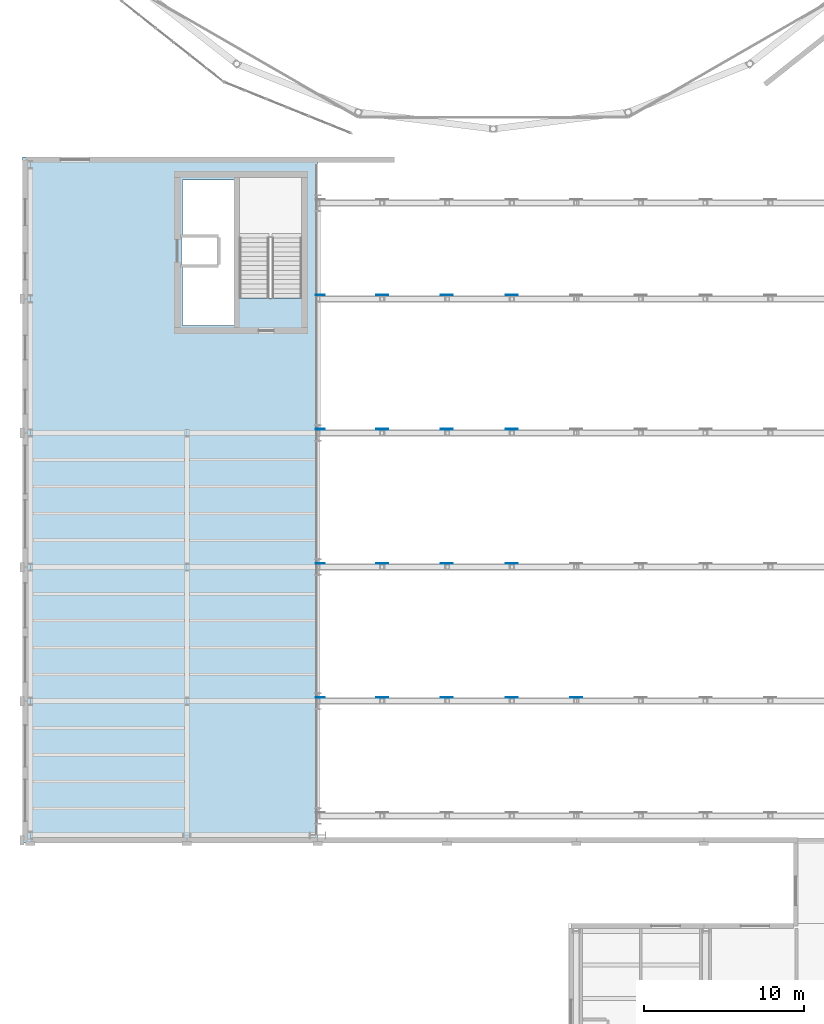
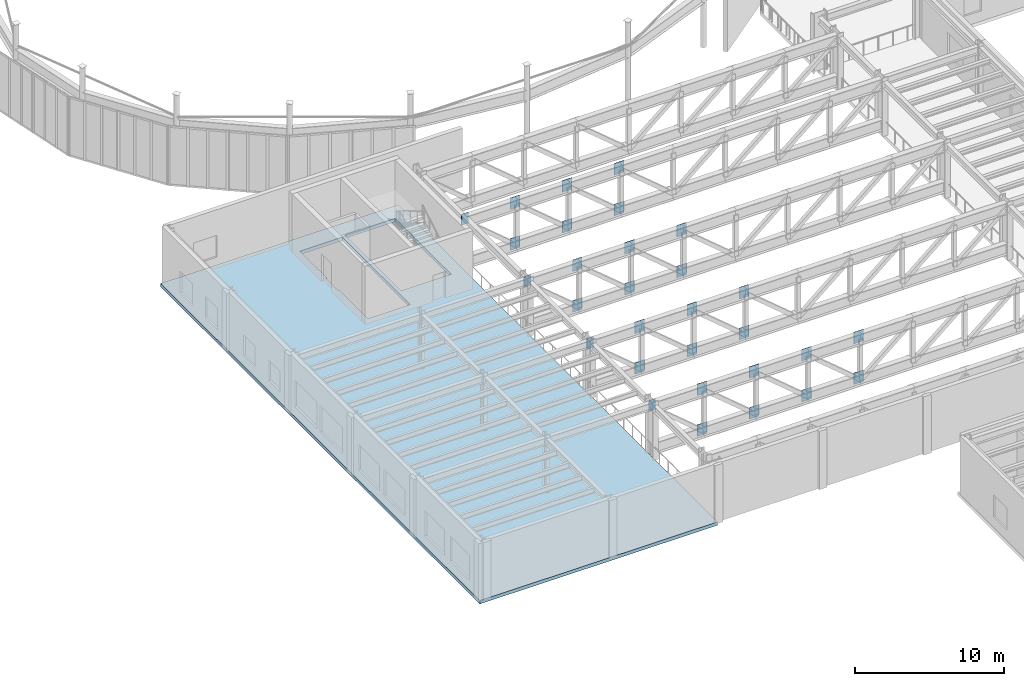
# One storey, part 54 of 91: 30 plates, 1 slab.
"""IFC4 building model written with IfcOpenShell, lengths in metres."""

from ifc_helpers import new_model, si_unit, direction, frame, origin, origin_2d, place, context, subcontext, project, spatial, polyline, rectangle, outline, extrude, material, layer, layer_set, type_object, element, save


model = new_model("IFC4")

# Units and contexts
model_context = context("Model", 3, precision=1e-05, world=origin(), true_north=direction((0.0, 1.0)))
body_context = subcontext(model_context, "Body", "Model", "MODEL_VIEW")
ifc_project = project(units=[si_unit("LENGTHUNIT", "METRE"), si_unit("AREAUNIT", "SQUARE_METRE"), si_unit("VOLUMEUNIT", "CUBIC_METRE"), si_unit("PLANEANGLEUNIT", "RADIAN"), si_unit("MASSUNIT", "GRAM", prefix="KILO")], contexts=[model_context])

# Site, building, storey
site_placement = place(None, origin())
site = spatial("IfcSite", under=ifc_project, at=site_placement, CompositionType="ELEMENT")
building_placement = place(site_placement, origin())
building = spatial("IfcBuilding", under=site, at=building_placement, Name="Sollismere Congress Hotel", CompositionType="ELEMENT")
storey_placement = place(building_placement, frame((0.0, 0.0, 10.800048828125)))
storey = spatial("IfcBuildingStorey", under=building, at=storey_placement, Name="L02", CompositionType="ELEMENT", Elevation=10.800048828125)

# Plates
ifc_material_1 = material(Name="Steel ASTM A572 Grade 50", Category="steel")
ifc_layer_1 = layer(ifc_material_1, 0.0400390625, Name="Steel ASTM A572 Grade 50")
ifc_layer_set_1 = layer_set([ifc_layer_1], Name="Steel ASTM A572 Grade 50")
plate_type = type_object("IfcPlateType", Name="PL-GS40", PredefinedType="USERDEFINED", material=ifc_layer_set_1)
for number, where, z_axis, x_axis, name in (
    (1, (22.050048828125, 33.431884765625, 3.56005859375), (0.0, 0.0, 1.0), (1.0, 0.0, 0.0), "PLT-GS-TT2-1"),
    (2, (22.050048828125, 33.431884765625, 0.2099609375), (0.0, 0.0, 1.0), (1.0, 0.0, 0.0), "PLT-GSB-TT2-1"),
    (3, (26.10009765625, 33.431884765625, 3.56005859375), (0.0, 0.0, 1.0), (1.0, 0.0, 0.0), "PLT-GS-TT2-2"),
    (4, (26.10009765625, 33.431884765625, 0.2099609375), (0.0, 0.0, 1.0), (1.0, 0.0, 0.0), "PLT-GSB-TT2-2"),
    (5, (30.14990234375, 33.431884765625, 3.56005859375), (0.0, 0.0, 1.0), (1.0, 0.0, 0.0), "PLT-GS-TT2-3"),
    (6, (30.14990234375, 33.431884765625, 0.2099609375), (0.0, 0.0, 1.0), (1.0, 0.0, 0.0), "PLT-GSB-TT2-3"),
    (7, (34.199951171875, 33.431884765625, 3.56005859375), (0.0, 0.0, 1.0), (1.0, 0.0, 0.0), "PLT-GS-TT2-4"),
    (8, (34.199951171875, 33.431884765625, 0.2099609375), (0.0, 0.0, 1.0), (1.0, 0.0, 0.0), "PLT-GSB-TT2-4"),
):
    element("IfcPlate", number, at=place(storey_placement, frame(where, z_axis=z_axis, x_axis=x_axis)), inside=storey, type_object=plate_type, Name=name, ObjectType="GUSSET PLATE", PredefinedType="USERDEFINED", context=body_context, shape_type="SweptSolid", body=[
        extrude(rectangle(XDim=0.75, YDim=0.0400390625, at=origin_2d()), origin(), (0.0, 0.0, 1.0), 0.93994140625),
    ])
plate_1_placement = place(storey_placement, frame((18.159912109375, 33.431884765625, 3.590087890625), z_axis=(0.0, 0.0, 1.0), x_axis=(1.0, 0.0, 0.0)))
element("IfcPlate", 9, at=plate_1_placement, inside=storey, type_object=plate_type, Name="PLT-GSE-TT2-W", ObjectType="GUSSET PLATE", PredefinedType="USERDEFINED", context=body_context, shape_type="SweptSolid", body=[
    extrude(rectangle(XDim=0.550048828125, YDim=0.0400390625, at=origin_2d()), origin(), (0.0, 0.0, 1.0), 0.8798828125),
])
for number, where, z_axis, x_axis, name in (
    (10, (22.050048828125, 41.83203125, 3.56005859375), (0.0, 0.0, 1.0), (1.0, 0.0, 0.0), "PLT-GS-TT3-1"),
    (11, (22.050048828125, 41.83203125, 0.2099609375), (0.0, 0.0, 1.0), (1.0, 0.0, 0.0), "PLT-GSB-TT3-1"),
    (12, (26.10009765625, 41.83203125, 3.56005859375), (0.0, 0.0, 1.0), (1.0, 0.0, 0.0), "PLT-GS-TT3-2"),
    (13, (26.10009765625, 41.83203125, 0.2099609375), (0.0, 0.0, 1.0), (1.0, 0.0, 0.0), "PLT-GSB-TT3-2"),
    (14, (30.14990234375, 41.83203125, 3.56005859375), (0.0, 0.0, 1.0), (1.0, 0.0, 0.0), "PLT-GS-TT3-3"),
    (15, (30.14990234375, 41.83203125, 0.2099609375), (0.0, 0.0, 1.0), (1.0, 0.0, 0.0), "PLT-GSB-TT3-3"),
):
    element("IfcPlate", number, at=place(storey_placement, frame(where, z_axis=z_axis, x_axis=x_axis)), inside=storey, type_object=plate_type, Name=name, ObjectType="GUSSET PLATE", PredefinedType="USERDEFINED", context=body_context, shape_type="SweptSolid", body=[
        extrude(rectangle(XDim=0.75, YDim=0.0400390625, at=origin_2d()), origin(), (0.0, 0.0, 1.0), 0.93994140625),
    ])
plate_2_placement = place(storey_placement, frame((18.159912109375, 41.83203125, 3.590087890625), z_axis=(0.0, 0.0, 1.0), x_axis=(1.0, 0.0, 0.0)))
element("IfcPlate", 16, at=plate_2_placement, inside=storey, type_object=plate_type, Name="PLT-GSE-TT3-W", ObjectType="GUSSET PLATE", PredefinedType="USERDEFINED", context=body_context, shape_type="SweptSolid", body=[
    extrude(rectangle(XDim=0.550048828125, YDim=0.0400390625, at=origin_2d()), origin(), (0.0, 0.0, 1.0), 0.8798828125),
])
for number, where, z_axis, x_axis, name in (
    (17, (22.050048828125, 50.23193359375, 3.56005859375), (0.0, 0.0, 1.0), (1.0, 0.0, 0.0), "PLT-GS-TT4-1"),
    (18, (22.050048828125, 50.23193359375, 0.2099609375), (0.0, 0.0, 1.0), (1.0, 0.0, 0.0), "PLT-GSB-TT4-1"),
    (19, (26.10009765625, 50.23193359375, 3.56005859375), (0.0, 0.0, 1.0), (1.0, 0.0, 0.0), "PLT-GS-TT4-2"),
    (20, (26.10009765625, 50.23193359375, 0.2099609375), (0.0, 0.0, 1.0), (1.0, 0.0, 0.0), "PLT-GSB-TT4-2"),
    (21, (30.14990234375, 50.23193359375, 3.56005859375), (0.0, 0.0, 1.0), (1.0, 0.0, 0.0), "PLT-GS-TT4-3"),
    (22, (30.14990234375, 50.23193359375, 0.2099609375), (0.0, 0.0, 1.0), (1.0, 0.0, 0.0), "PLT-GSB-TT4-3"),
):
    element("IfcPlate", number, at=place(storey_placement, frame(where, z_axis=z_axis, x_axis=x_axis)), inside=storey, type_object=plate_type, Name=name, ObjectType="GUSSET PLATE", PredefinedType="USERDEFINED", context=body_context, shape_type="SweptSolid", body=[
        extrude(rectangle(XDim=0.75, YDim=0.0400390625, at=origin_2d()), origin(), (0.0, 0.0, 1.0), 0.93994140625),
    ])
plate_3_placement = place(storey_placement, frame((18.159912109375, 50.23193359375, 3.590087890625), z_axis=(0.0, 0.0, 1.0), x_axis=(1.0, 0.0, 0.0)))
element("IfcPlate", 23, at=plate_3_placement, inside=storey, type_object=plate_type, Name="PLT-GSE-TT4-W", ObjectType="GUSSET PLATE", PredefinedType="USERDEFINED", context=body_context, shape_type="SweptSolid", body=[
    extrude(rectangle(XDim=0.550048828125, YDim=0.0400390625, at=origin_2d()), origin(), (0.0, 0.0, 1.0), 0.8798828125),
])
for number, where, z_axis, x_axis, name in (
    (24, (22.050048828125, 58.632080078125, 3.56005859375), (0.0, 0.0, 1.0), (1.0, 0.0, 0.0), "PLT-GS-TT5-1"),
    (25, (22.050048828125, 58.632080078125, 0.2099609375), (0.0, 0.0, 1.0), (1.0, 0.0, 0.0), "PLT-GSB-TT5-1"),
    (26, (26.10009765625, 58.632080078125, 3.56005859375), (0.0, 0.0, 1.0), (1.0, 0.0, 0.0), "PLT-GS-TT5-2"),
    (27, (26.10009765625, 58.632080078125, 0.2099609375), (0.0, 0.0, 1.0), (1.0, 0.0, 0.0), "PLT-GSB-TT5-2"),
    (28, (30.14990234375, 58.632080078125, 3.56005859375), (0.0, 0.0, 1.0), (1.0, 0.0, 0.0), "PLT-GS-TT5-3"),
    (29, (30.14990234375, 58.632080078125, 0.2099609375), (0.0, 0.0, 1.0), (1.0, 0.0, 0.0), "PLT-GSB-TT5-3"),
):
    element("IfcPlate", number, at=place(storey_placement, frame(where, z_axis=z_axis, x_axis=x_axis)), inside=storey, type_object=plate_type, Name=name, ObjectType="GUSSET PLATE", PredefinedType="USERDEFINED", context=body_context, shape_type="SweptSolid", body=[
        extrude(rectangle(XDim=0.75, YDim=0.0400390625, at=origin_2d()), origin(), (0.0, 0.0, 1.0), 0.93994140625),
    ])
plate_4_placement = place(storey_placement, frame((18.159912109375, 58.632080078125, 3.590087890625), z_axis=(0.0, 0.0, 1.0), x_axis=(1.0, 0.0, 0.0)))
element("IfcPlate", 30, at=plate_4_placement, inside=storey, type_object=plate_type, Name="PLT-GSE-TT5-W", ObjectType="GUSSET PLATE", PredefinedType="USERDEFINED", context=body_context, shape_type="SweptSolid", body=[
    extrude(rectangle(XDim=0.550048828125, YDim=0.0400390625, at=origin_2d()), origin(), (0.0, 0.0, 1.0), 0.8798828125),
])

# Slab
ifc_material_2 = material(Name="Concrete C40/50", Category="concrete")
ifc_layer_2 = layer(ifc_material_2, 0.280029296875, Name="Concrete C40/50")
ifc_layer_set_2 = layer_set([ifc_layer_2], Name="Concrete C40/50")
slab_type = type_object("IfcSlabType", Name="SL-FLR280", PredefinedType="FLOOR", material=ifc_layer_set_2)
slab_placement = place(storey_placement, frame((0.0, 0.0, -0.280029296875)))
element("IfcSlab", 31, at=slab_placement, inside=storey, type_object=slab_type, Name="Slab SL-L02-V3B", PredefinedType="FLOOR", context=body_context, shape_type="SweptSolid", body=[
    extrude(outline(polyline([(18.0, 24.320068359375), (18.0, 67.280029296875), (-0.47998046875, 67.280029296875), (-0.47998046875, 24.320068359375), (18.0, 24.320068359375)]), holes=[polyline([(9.5400390625, 56.739990234375), (9.5400390625, 60.554931640625), (9.4599609375, 60.554931640625), (9.4599609375, 62.2451171875), (9.5400390625, 62.2451171875), (9.5400390625, 65.860107421875), (12.830078125, 65.860107421875), (12.830078125, 56.739990234375), (9.5400390625, 56.739990234375)]), polyline([(13.10009765625, 66.0), (17.0, 66.0), (17.0, 58.45068359375), (13.10009765625, 58.45068359375), (13.10009765625, 66.0)])]), origin(), (0.0, 0.0, 1.0), 0.280029296875),
])

save(model, "model.ifc")
